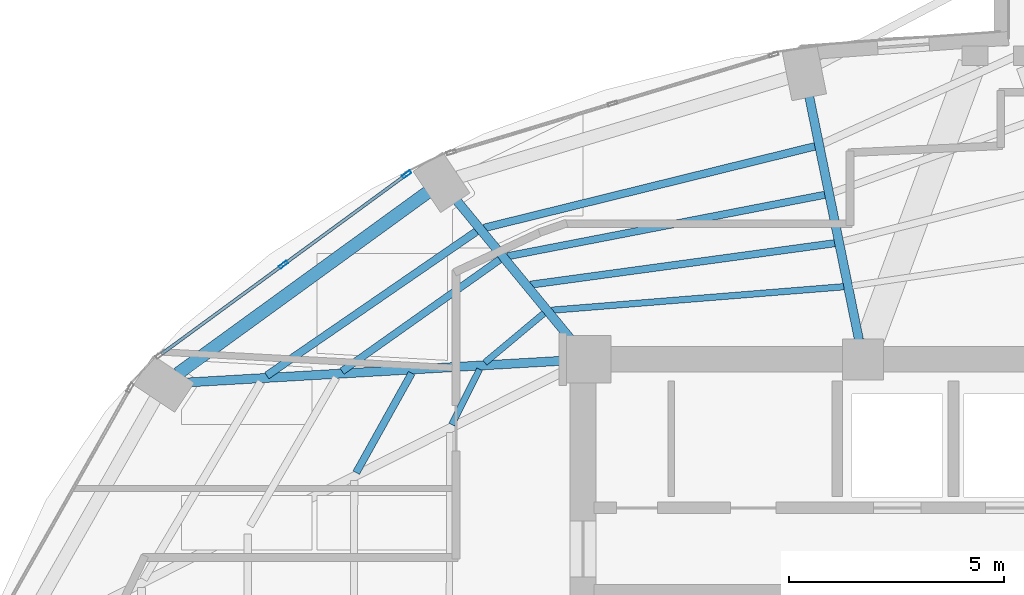
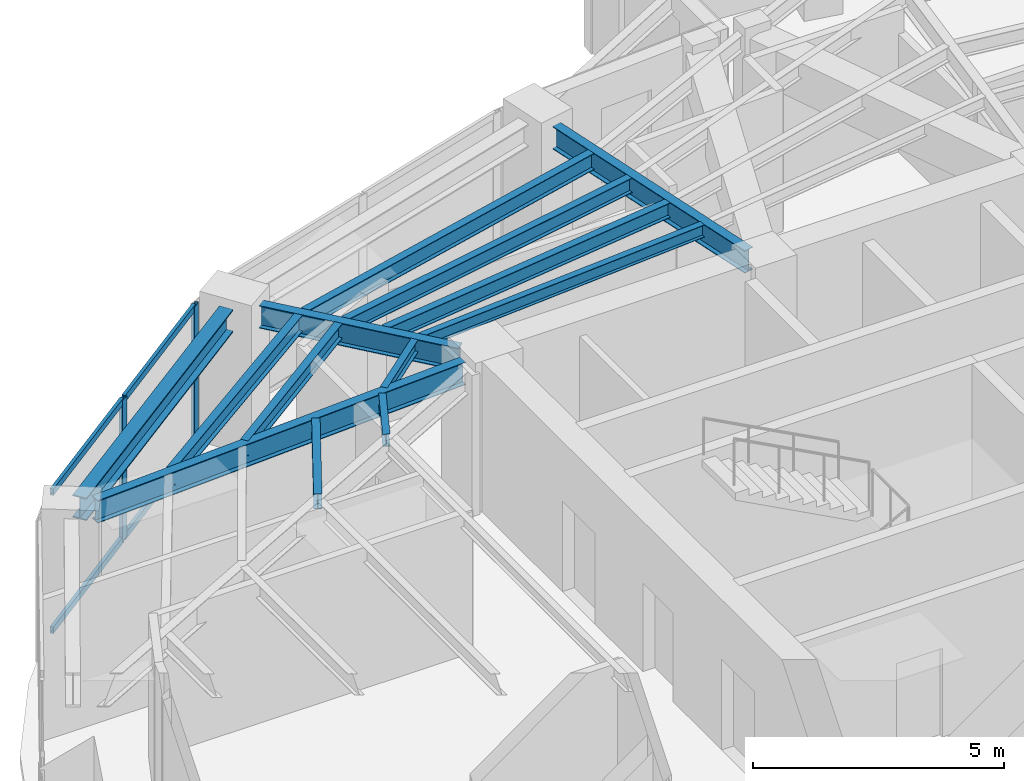
# One storey, part 7 of 20: 13 beams, 6 members, 1 element without a shape of its own.
"""IFC4 building model written with IfcOpenShell, lengths in metres."""

from ifc_helpers import new_model, si_unit, direction, frame, origin, origin_2d, place, context, subcontext, project, spatial, hollow_rectangle, i_section, extrude, material, layer, layer_set, material_profile, profile_set, type_object, element, aggregate, save


model = new_model("IFC4")

# Units and contexts
model_context = context("Model", 3, precision=1e-05, world=origin(), true_north=direction((0.0, 1.0)))
body_context = subcontext(model_context, "Body", "Model", "MODEL_VIEW")
ifc_project = project(units=[si_unit("LENGTHUNIT", "METRE"), si_unit("AREAUNIT", "SQUARE_METRE"), si_unit("VOLUMEUNIT", "CUBIC_METRE"), si_unit("PLANEANGLEUNIT", "RADIAN"), si_unit("MASSUNIT", "GRAM", prefix="KILO")], contexts=[model_context])

# Site, building, storey
site_placement = place(None, origin())
site = spatial("IfcSite", under=ifc_project, at=site_placement, CompositionType="ELEMENT")
building_placement = place(site_placement, origin())
building = spatial("IfcBuilding", under=site, at=building_placement, Name="Lazwardi Medical Tower", CompositionType="ELEMENT")
storey_placement = place(building_placement, frame((0.0, 0.0, 178.416015625)))
storey = spatial("IfcBuildingStorey", under=building, at=storey_placement, Name="L46", CompositionType="ELEMENT", Elevation=178.416015625)

# Beams
ifc_material_1 = material(Name="Steel S355", Category="steel")
ifc_material_profile_1 = material_profile(ifc_material_1, i_section(OverallWidth=0.300048828125, OverallDepth=0.550048828125, WebThickness=0.014892578125, FlangeThickness=0.029052734375, at=origin_2d()), Name="HEB 550")
ifc_profile_set_1 = profile_set([ifc_material_profile_1], Name="Steel S355")
beam_type_1 = type_object("IfcBeamType", Name="BM-RB-Z3", PredefinedType="BEAM", material=ifc_profile_set_1)
beam_1_placement = place(storey_placement, frame((22.689697265625, 39.479248046875, 3.153076171875), z_axis=(-0.809127570774, -0.587633026824, 0.0), x_axis=(0.587633026824, -0.809127570774, 0.0)))
element("IfcBeam", 1, at=beam_1_placement, inside=storey, type_object=beam_type_1, Name="Ring beam RB-04 B10 L46", PredefinedType="BEAM", context=body_context, shape_type="SweptSolid", body=[
    extrude(i_section(OverallWidth=0.300048828125, OverallDepth=0.550048828125, WebThickness=0.014892578125, FlangeThickness=0.029052734375, at=origin_2d()), origin(), (0.0, 0.0, 1.0), 7.170166015625),
])
ifc_material_profile_2 = material_profile(ifc_material_1, i_section(OverallWidth=0.2099609375, OverallDepth=0.550048828125, WebThickness=0.010986328125, FlangeThickness=0.01708984375, at=origin_2d()), Name="IPE 550")
ifc_profile_set_2 = profile_set([ifc_material_profile_2], Name="Steel S355")
beam_type_2 = type_object("IfcBeamType", Name="BM-RG-W2", PredefinedType="BEAM", material=ifc_profile_set_2)
beam_2_placement = place(storey_placement, frame((31.552001953125, 41.7001953125, 3.153076171875), z_axis=(0.200429485343, -0.979708130723, 0.0), x_axis=(0.979708130723, 0.200429485343, 0.0)))
element("IfcBeam", 2, at=beam_2_placement, inside=storey, type_object=beam_type_2, Name="Radial girder RG-03 R09 L46", PredefinedType="BEAM", context=body_context, shape_type="SweptSolid", body=[
    extrude(i_section(OverallWidth=0.2099609375, OverallDepth=0.550048828125, WebThickness=0.010986328125, FlangeThickness=0.01708984375, at=origin_2d()), origin(), (0.0, 0.0, 1.0), 5.766357421875),
])
beam_3_placement = place(storey_placement, frame((23.369384765625, 39.28173828125, 3.153076171875), z_axis=(0.635555639966, -0.772055068312, 0.0), x_axis=(0.772055068312, 0.635555639966, 0.0)))
element("IfcBeam", 3, at=beam_3_placement, inside=storey, type_object=beam_type_2, Name="Radial girder RG-03 R10 L46", PredefinedType="BEAM", context=body_context, shape_type="SweptSolid", body=[
    extrude(i_section(OverallWidth=0.2099609375, OverallDepth=0.550048828125, WebThickness=0.010986328125, FlangeThickness=0.01708984375, at=origin_2d()), origin(), (0.0, 0.0, 1.0), 4.233642578125),
])
beam_4_placement = place(storey_placement, frame((17.12353515625, 35.063232421875, 3.153076171875), z_axis=(0.998330154646, 0.057765927014, 0.0), x_axis=(-0.057765927014, 0.998330154646, 0.0)))
element("IfcBeam", 4, at=beam_4_placement, inside=storey, type_object=beam_type_2, Name="Radial girder RG-03 R11 L46", PredefinedType="BEAM", context=body_context, shape_type="SweptSolid", body=[
    extrude(i_section(OverallWidth=0.2099609375, OverallDepth=0.550048828125, WebThickness=0.010986328125, FlangeThickness=0.01708984375, at=origin_2d()), origin(), (0.0, 0.0, 1.0), 8.757080078125),
])
ifc_material_profile_3 = material_profile(ifc_material_1, i_section(OverallWidth=0.179931640625, OverallDepth=0.39990234375, WebThickness=0.008544921875, FlangeThickness=0.013427734375, at=origin_2d()), Name="IPE 400")
ifc_profile_set_3 = profile_set([ifc_material_profile_3], Name="Steel S355")
beam_type_3 = type_object("IfcBeamType", Name="BM-SJ-01", PredefinedType="JOIST", material=ifc_profile_set_3)
beam_5_placement = place(storey_placement, frame((31.68603515625, 40.54638671875, 3.22802734375), z_axis=(-0.970912648168, -0.239433977597, 0.0), x_axis=(0.239433977597, -0.970912648168, 0.0)))
element("IfcBeam", 5, at=beam_5_placement, inside=storey, type_object=beam_type_3, Name="Secondary joist SJ-01 R1 B09 L46", PredefinedType="JOIST", context=body_context, shape_type="SweptSolid", body=[
    extrude(i_section(OverallWidth=0.179931640625, OverallDepth=0.39990234375, WebThickness=0.008544921875, FlangeThickness=0.013427734375, at=origin_2d()), origin(), (0.0, 0.0, 1.0), 7.91162109375),
])
beam_6_placement = place(storey_placement, frame((23.8251953125, 38.5712890625, 3.22802734375), z_axis=(-0.823932256005, -0.566688307198, 0.0), x_axis=(0.566688307198, -0.823932256005, 0.0)))
element("IfcBeam", 6, at=beam_6_placement, inside=storey, type_object=beam_type_3, Name="Secondary joist SJ-01 R1 B10 L46", PredefinedType="JOIST", context=body_context, shape_type="SweptSolid", body=[
    extrude(i_section(OverallWidth=0.179931640625, OverallDepth=0.39990234375, WebThickness=0.008544921875, FlangeThickness=0.013427734375, at=origin_2d()), origin(), (0.0, 0.0, 1.0), 5.91162109375),
])
ifc_material_profile_4 = material_profile(ifc_material_1, i_section(OverallWidth=0.169921875, OverallDepth=0.360107421875, WebThickness=0.008056640625, FlangeThickness=0.0126953125, at=origin_2d()), Name="IPE 360")
ifc_profile_set_4 = profile_set([ifc_material_profile_4], Name="Steel S355")
beam_type_4 = type_object("IfcBeamType", Name="BM-SJ-02", PredefinedType="JOIST", material=ifc_profile_set_4)
beam_7_placement = place(storey_placement, frame((31.916015625, 39.42138671875, 3.248046875), z_axis=(-0.981753035865, -0.190160396953, 0.0), x_axis=(0.190160396953, -0.981753035865, 0.0)))
element("IfcBeam", 7, at=beam_7_placement, inside=storey, type_object=beam_type_4, Name="Secondary joist SJ-02 R2 B09 L46", PredefinedType="JOIST", context=body_context, shape_type="SweptSolid", body=[
    extrude(i_section(OverallWidth=0.169921875, OverallDepth=0.360107421875, WebThickness=0.008056640625, FlangeThickness=0.0126953125, at=origin_2d()), origin(), (0.0, 0.0, 1.0), 7.50927734375),
])
beam_8_placement = place(storey_placement, frame((24.364013671875, 37.91650390625, 3.248046875), z_axis=(-0.816108950798, -0.577898070967, 0.0), x_axis=(0.577898070967, -0.816108950798, 0.0)))
element("IfcBeam", 8, at=beam_8_placement, inside=storey, type_object=beam_type_4, Name="Secondary joist SJ-02 R2 B10 L46", PredefinedType="JOIST", context=body_context, shape_type="SweptSolid", body=[
    extrude(i_section(OverallWidth=0.169921875, OverallDepth=0.360107421875, WebThickness=0.008056640625, FlangeThickness=0.0126953125, at=origin_2d()), origin(), (0.0, 0.0, 1.0), 4.487060546875),
])
beam_9_placement = place(storey_placement, frame((32.146484375, 38.297119140625, 3.248046875), z_axis=(-0.990832043476, -0.135099450852, 0.0), x_axis=(0.135099450852, -0.990832043476, 0.0)))
element("IfcBeam", 9, at=beam_9_placement, inside=storey, type_object=beam_type_4, Name="Secondary joist SJ-02 R3 B09 L46", PredefinedType="JOIST", context=body_context, shape_type="SweptSolid", body=[
    extrude(i_section(OverallWidth=0.169921875, OverallDepth=0.360107421875, WebThickness=0.008056640625, FlangeThickness=0.0126953125, at=origin_2d()), origin(), (0.0, 0.0, 1.0), 7.129150390625),
])
beam_10_placement = place(storey_placement, frame((22.3203125, 35.279296875, 3.248046875), z_axis=(-0.487099444348, -0.87334651274, 0.0), x_axis=(0.87334651274, -0.487099444348, 0.0)))
element("IfcBeam", 10, at=beam_10_placement, inside=storey, type_object=beam_type_4, Name="Secondary joist SJ-02 R3 B11 L46", PredefinedType="JOIST", context=body_context, shape_type="SweptSolid", body=[
    extrude(i_section(OverallWidth=0.169921875, OverallDepth=0.360107421875, WebThickness=0.008056640625, FlangeThickness=0.0126953125, at=origin_2d()), origin(), (0.0, 0.0, 1.0), 2.64599609375),
])
ifc_material_profile_5 = material_profile(ifc_material_1, i_section(OverallWidth=0.14990234375, OverallDepth=0.300048828125, WebThickness=0.007080078125, FlangeThickness=0.0107421875, at=origin_2d()), Name="IPE 300")
ifc_profile_set_5 = profile_set([ifc_material_profile_5], Name="Steel S355")
beam_type_5 = type_object("IfcBeamType", Name="BM-SJ-03", PredefinedType="JOIST", material=ifc_profile_set_5)
beam_11_placement = place(storey_placement, frame((32.353759765625, 37.28564453125, 3.278076171875), z_axis=(-0.996785792338, -0.08011294647, 0.0), x_axis=(0.08011294647, -0.996785792338, 0.0)))
element("IfcBeam", 11, at=beam_11_placement, inside=storey, type_object=beam_type_5, Name="Secondary joist SJ-03 R4 B09 L46", PredefinedType="JOIST", context=body_context, shape_type="SweptSolid", body=[
    extrude(i_section(OverallWidth=0.14990234375, OverallDepth=0.300048828125, WebThickness=0.007080078125, FlangeThickness=0.0107421875, at=origin_2d()), origin(), (0.0, 0.0, 1.0), 6.80810546875),
])
beam_12_placement = place(storey_placement, frame((25.391357421875, 36.668212890625, 3.278076171875), z_axis=(-0.767437193893, -0.641124132621, 0.0), x_axis=(0.641124132621, -0.767437193893, 0.0)))
element("IfcBeam", 12, at=beam_12_placement, inside=storey, type_object=beam_type_5, Name="Secondary joist SJ-03 R4 B10 L46", PredefinedType="JOIST", context=body_context, shape_type="SweptSolid", body=[
    extrude(i_section(OverallWidth=0.14990234375, OverallDepth=0.300048828125, WebThickness=0.007080078125, FlangeThickness=0.0107421875, at=origin_2d()), origin(), (0.0, 0.0, 1.0), 1.787841796875),
])
beam_13_placement = place(storey_placement, frame((23.8974609375, 35.368408203125, 3.278076171875), z_axis=(-0.450406075332, -0.892823816497, 0.0), x_axis=(0.892823816497, -0.450406075332, 0.0)))
element("IfcBeam", 13, at=beam_13_placement, inside=storey, type_object=beam_type_5, Name="Secondary joist SJ-03 R4 B11 L46", PredefinedType="JOIST", context=body_context, shape_type="SweptSolid", body=[
    extrude(i_section(OverallWidth=0.14990234375, OverallDepth=0.300048828125, WebThickness=0.007080078125, FlangeThickness=0.0107421875, at=origin_2d()), origin(), (0.0, 0.0, 1.0), 1.4365234375),
])

# Curtain wall, members
ifc_material_2 = material(Name="Anodised bronze aluminium and solar control glazing", Category="aluminium")
ifc_layer = layer(ifc_material_2, 0.195068359375)
ifc_layer_set = layer_set([ifc_layer], Name="Anodised bronze aluminium and solar control glazing")
curtain_wall_type = type_object("IfcCurtainWallType", Name="CW-SYS-03", PredefinedType="NOTDEFINED", material=ifc_layer_set)
curtain_wall_placement = place(storey_placement, origin())
curtain_wall = element("IfcCurtainWall", 14, at=curtain_wall_placement, inside=storey, type_object=curtain_wall_type, Name="L46 Unitised bronze curtain wall CW-03", PredefinedType="NOTDEFINED")
ifc_material_3 = material(Name="Anodised bronze aluminium", Category="aluminium")
ifc_material_profile_6 = material_profile(ifc_material_3, hollow_rectangle(XDim=0.074951171875, YDim=0.219970703125, WallThickness=0.00390625, at=origin_2d()), Name="ALU-MULLION 220x75x4")
ifc_profile_set_6 = profile_set([ifc_material_profile_6], Name="Anodised bronze aluminium")
member_type_1 = type_object("IfcMemberType", Name="CW-MUL-01", PredefinedType="MULLION", material=ifc_profile_set_6)
member_1_placement = place(storey_placement, frame((22.204345703125, 39.894775390625, 0.0), z_axis=(0.0, 0.0, 1.0), x_axis=(0.590833862635, -0.806793249082, 0.0)))
member_1 = element("IfcMember", 15, at=member_1_placement, type_object=member_type_1, Name="CW-03 mullion 1", PredefinedType="MULLION", context=body_context, shape_type="SweptSolid", body=[
    extrude(hollow_rectangle(XDim=0.074951171875, YDim=0.219970703125, WallThickness=0.00390625, at=origin_2d()), origin(), (0.0, 0.0, 1.0), 3.427978515625),
])
member_2_placement = place(storey_placement, frame((19.34228515625, 37.798828125, 0.0), z_axis=(0.0, 0.0, 1.0), x_axis=(0.590833862635, -0.806793249082, 0.0)))
member_2 = element("IfcMember", 16, at=member_2_placement, type_object=member_type_1, Name="CW-03 mullion 2", PredefinedType="MULLION", context=body_context, shape_type="SweptSolid", body=[
    extrude(hollow_rectangle(XDim=0.074951171875, YDim=0.219970703125, WallThickness=0.00390625, at=origin_2d()), origin(), (0.0, 0.0, 1.0), 3.427978515625),
])
ifc_material_profile_7 = material_profile(ifc_material_3, hollow_rectangle(XDim=0.074951171875, YDim=0.159912109375, WallThickness=0.00390625, at=origin_2d()), Name="ALU-TRANSOM 160x75x4")
ifc_profile_set_7 = profile_set([ifc_material_profile_7], Name="Anodised bronze aluminium")
member_type_2 = type_object("IfcMemberType", Name="CW-TRN-01", PredefinedType="USERDEFINED", material=ifc_profile_set_7)
member_3_placement = place(storey_placement, frame((22.174072265625, 39.872802734375, 0.03759765625), z_axis=(-0.806773646358, -0.590860629542, 0.0), x_axis=(0.590860629542, -0.806773646358, 0.0)))
member_3 = element("IfcMember", 17, at=member_3_placement, type_object=member_type_2, Name="CW-03 transom 1.1", ObjectType="TRANSOM", PredefinedType="USERDEFINED", context=body_context, shape_type="SweptSolid", body=[
    extrude(hollow_rectangle(XDim=0.074951171875, YDim=0.159912109375, WallThickness=0.00390625, at=origin_2d()), origin(), (0.0, 0.0, 1.0), 3.472412109375),
])
member_4_placement = place(storey_placement, frame((22.174072265625, 39.872802734375, 3.390380859375), z_axis=(-0.806773646358, -0.590860629542, 0.0), x_axis=(0.590860629542, -0.806773646358, 0.0)))
member_4 = element("IfcMember", 18, at=member_4_placement, type_object=member_type_2, Name="CW-03 transom 1.2", ObjectType="TRANSOM", PredefinedType="USERDEFINED", context=body_context, shape_type="SweptSolid", body=[
    extrude(hollow_rectangle(XDim=0.074951171875, YDim=0.159912109375, WallThickness=0.00390625, at=origin_2d()), origin(), (0.0, 0.0, 1.0), 3.472412109375),
])
member_5_placement = place(storey_placement, frame((19.31201171875, 37.77685546875, 0.03759765625), z_axis=(-0.806773646358, -0.590860629542, 0.0), x_axis=(0.590860629542, -0.806773646358, 0.0)))
member_5 = element("IfcMember", 19, at=member_5_placement, type_object=member_type_2, Name="CW-03 transom 2.1", ObjectType="TRANSOM", PredefinedType="USERDEFINED", context=body_context, shape_type="SweptSolid", body=[
    extrude(hollow_rectangle(XDim=0.074951171875, YDim=0.159912109375, WallThickness=0.00390625, at=origin_2d()), origin(), (0.0, 0.0, 1.0), 3.472412109375),
])
member_6_placement = place(storey_placement, frame((19.31201171875, 37.77685546875, 3.390380859375), z_axis=(-0.806773646358, -0.590860629542, 0.0), x_axis=(0.590860629542, -0.806773646358, 0.0)))
member_6 = element("IfcMember", 20, at=member_6_placement, type_object=member_type_2, Name="CW-03 transom 2.2", ObjectType="TRANSOM", PredefinedType="USERDEFINED", context=body_context, shape_type="SweptSolid", body=[
    extrude(hollow_rectangle(XDim=0.074951171875, YDim=0.159912109375, WallThickness=0.00390625, at=origin_2d()), origin(), (0.0, 0.0, 1.0), 3.472412109375),
])
aggregate(curtain_wall, [member_1, member_2, member_3, member_4, member_5, member_6])

save(model, "model.ifc")
